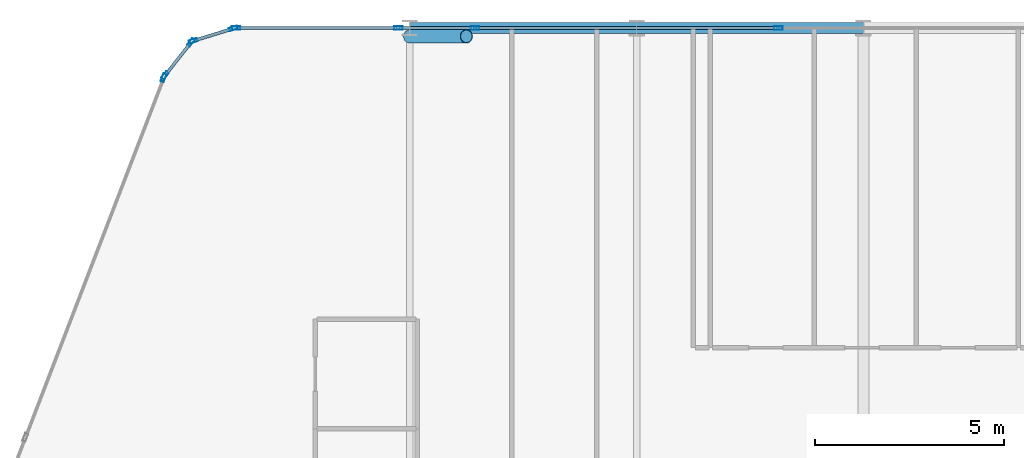
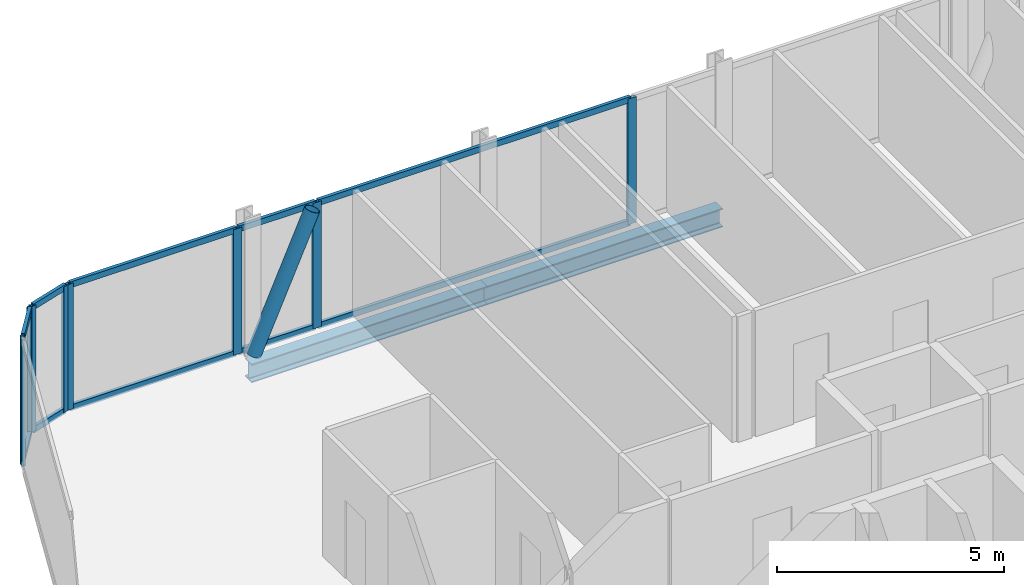
# One storey, part 13 of 33: 20 members, 2 beams, 6 elements without a shape of their own.
"""IFC4 building model written with IfcOpenShell, lengths in metres."""

from ifc_helpers import new_model, si_unit, direction, frame, origin, origin_2d, place, context, subcontext, project, spatial, hollow_rectangle, hollow_circle, i_section, extrude, material, layer, layer_set, material_profile, profile_set, type_object, element, aggregate, save


model = new_model("IFC4")

# Units and contexts
model_context = context("Model", 3, precision=1e-05, world=origin(), true_north=direction((0.0, 1.0)))
body_context = subcontext(model_context, "Body", "Model", "MODEL_VIEW")
ifc_project = project(units=[si_unit("LENGTHUNIT", "METRE"), si_unit("AREAUNIT", "SQUARE_METRE"), si_unit("VOLUMEUNIT", "CUBIC_METRE"), si_unit("PLANEANGLEUNIT", "RADIAN"), si_unit("MASSUNIT", "GRAM", prefix="KILO")], contexts=[model_context])

# Site, building, storey
site_placement = place(None, origin())
site = spatial("IfcSite", under=ifc_project, at=site_placement, CompositionType="ELEMENT")
building_placement = place(site_placement, origin())
building = spatial("IfcBuilding", under=site, at=building_placement, Name="Keshet Zoharim Tower", CompositionType="ELEMENT")
storey_placement = place(building_placement, frame((0.0, 0.0, 27.699951171875)))
storey = spatial("IfcBuildingStorey", under=building, at=storey_placement, Name="L05", CompositionType="ELEMENT", Elevation=27.699951171875)

# Beams
ifc_material_1 = material(Name="Steel S355", Category="steel")
ifc_material_profile_1 = material_profile(ifc_material_1, i_section(OverallWidth=0.300048828125, OverallDepth=0.5, WebThickness=0.014404296875, FlangeThickness=0.028076171875, FilletRadius=0.027099609375, at=origin_2d()), Name="HEB500")
ifc_profile_set_1 = profile_set([ifc_material_profile_1], Name="Steel S355")
beam_type = type_object("IfcBeamType", Name="BM-WEB-HB500", PredefinedType="BEAM", material=ifc_profile_set_1)
for number, where, z_axis, x_axis, name in (
    (1, (21.0, 53.89990234375, -0.56494140625), (1.0, 0.0, 0.0), (0.0, 1.0, 0.0), "L05 Primary Girder X-029"),
    (2, (27.0, 53.89990234375, -0.56494140625), (1.0, 0.0, 0.0), (0.0, 1.0, 0.0), "L05 Primary Girder X-030"),
):
    element("IfcBeam", number, at=place(storey_placement, frame(where, z_axis=z_axis, x_axis=x_axis)), inside=storey, type_object=beam_type, Name=name, PredefinedType="BEAM", context=body_context, shape_type="SweptSolid", body=[
        extrude(i_section(OverallWidth=0.300048828125, OverallDepth=0.5, WebThickness=0.014404296875, FlangeThickness=0.028076171875, FilletRadius=0.027099609375, at=origin_2d()), origin(), (0.0, 0.0, 1.0), 6.0),
    ])

# Curtain wall, member
ifc_material_2 = material(Name="Aluminium 6063-T6", Category="aluminium")
ifc_layer_1 = layer(ifc_material_2, 0.179931640625)
ifc_layer_set_1 = layer_set([ifc_layer_1], Name="Aluminium 6063-T6")
curtain_wall_type_1 = type_object("IfcCurtainWallType", Name="CW-SYS-01", PredefinedType="NOTDEFINED", material=ifc_layer_set_1)
curtain_wall_1_placement = place(storey_placement, origin())
curtain_wall_1 = element("IfcCurtainWall", 3, at=curtain_wall_1_placement, inside=storey, type_object=curtain_wall_type_1, Name="L05 Unitised Curtain Wall 04", PredefinedType="NOTDEFINED")
ifc_material_profile_2 = material_profile(ifc_material_2, hollow_rectangle(XDim=0.090087890625, YDim=0.219970703125, WallThickness=0.0048828125, at=origin_2d()), Name="MUL-90x220")
ifc_profile_set_2 = profile_set([ifc_material_profile_2], Name="Aluminium 6063-T6")
member_type_1 = type_object("IfcMemberType", Name="CWM-M22", PredefinedType="MULLION", material=ifc_profile_set_2)
member_1_placement = place(storey_placement, frame((14.494384765625, 52.58544921875, 0.0), z_axis=(0.0, 0.0, 1.0), x_axis=(-0.933341404361, 0.358990003907, 0.0)))
member_1 = element("IfcMember", 4, at=member_1_placement, type_object=member_type_1, Name="CW-01 mullion 4", PredefinedType="MULLION", context=body_context, shape_type="SweptSolid", body=[
    extrude(hollow_rectangle(XDim=0.090087890625, YDim=0.219970703125, WallThickness=0.0048828125, at=origin_2d()), origin(), (0.0, 0.0, 1.0), 3.385009765625),
])
aggregate(curtain_wall_1, [member_1])

# Curtain wall, members
curtain_wall_2_placement = place(storey_placement, origin())
curtain_wall_2 = element("IfcCurtainWall", 5, at=curtain_wall_2_placement, inside=storey, type_object=curtain_wall_type_1, Name="L05 Unitised Curtain Wall 05", PredefinedType="NOTDEFINED")
member_2_placement = place(storey_placement, frame((14.528564453125, 52.6455078125, 0.0), z_axis=(0.0, 0.0, 1.0), x_axis=(-0.785292825205, 0.619124525989, 0.0)))
member_2 = element("IfcMember", 6, at=member_2_placement, type_object=member_type_1, Name="CW-01 mullion 1", PredefinedType="MULLION", context=body_context, shape_type="SweptSolid", body=[
    extrude(hollow_rectangle(XDim=0.090087890625, YDim=0.219970703125, WallThickness=0.0048828125, at=origin_2d()), origin(), (0.0, 0.0, 1.0), 3.385009765625),
])
member_3_placement = place(storey_placement, frame((15.21923828125, 53.521484375, 0.0), z_axis=(0.0, 0.0, 1.0), x_axis=(-0.785292825205, 0.619124525989, 0.0)))
member_3 = element("IfcMember", 7, at=member_3_placement, type_object=member_type_1, Name="CW-01 mullion 2", PredefinedType="MULLION", context=body_context, shape_type="SweptSolid", body=[
    extrude(hollow_rectangle(XDim=0.090087890625, YDim=0.219970703125, WallThickness=0.0048828125, at=origin_2d()), origin(), (0.0, 0.0, 1.0), 3.385009765625),
])

curtain_wall_3_placement = place(storey_placement, origin())
curtain_wall_3 = element("IfcCurtainWall", 8, at=curtain_wall_3_placement, inside=storey, type_object=curtain_wall_type_1, Name="L05 Unitised Curtain Wall 06", PredefinedType="NOTDEFINED")
member_4_placement = place(storey_placement, frame((15.2744140625, 53.559326171875, 0.0), z_axis=(0.0, 0.0, 1.0), x_axis=(-0.295921857984, 0.955212151288, 0.0)))
member_4 = element("IfcMember", 9, at=member_4_placement, type_object=member_type_1, Name="CW-01 mullion 1", PredefinedType="MULLION", context=body_context, shape_type="SweptSolid", body=[
    extrude(hollow_rectangle(XDim=0.090087890625, YDim=0.219970703125, WallThickness=0.0048828125, at=origin_2d()), origin(), (0.0, 0.0, 1.0), 3.385009765625),
])
member_5_placement = place(storey_placement, frame((16.340576171875, 53.8896484375, 0.0), z_axis=(0.0, 0.0, 1.0), x_axis=(-0.295921857984, 0.955212151288, 0.0)))
member_5 = element("IfcMember", 10, at=member_5_placement, type_object=member_type_1, Name="CW-01 mullion 2", PredefinedType="MULLION", context=body_context, shape_type="SweptSolid", body=[
    extrude(hollow_rectangle(XDim=0.090087890625, YDim=0.219970703125, WallThickness=0.0048828125, at=origin_2d()), origin(), (0.0, 0.0, 1.0), 3.385009765625),
])

ifc_layer_2 = layer(ifc_material_2, 0.169921875)
ifc_layer_set_2 = layer_set([ifc_layer_2], Name="Aluminium 6063-T6")
curtain_wall_type_2 = type_object("IfcCurtainWallType", Name="CW-SYS-02", PredefinedType="NOTDEFINED", material=ifc_layer_set_2)
curtain_wall_4_placement = place(storey_placement, origin())
curtain_wall_4 = element("IfcCurtainWall", 11, at=curtain_wall_4_placement, inside=storey, type_object=curtain_wall_type_2, Name="L05 Unitised Curtain Wall 07", PredefinedType="NOTDEFINED")
member_6_placement = place(storey_placement, frame((16.408935546875, 53.89990234375, 0.0), z_axis=(0.0, 0.0, 1.0), x_axis=(0.0, 1.0, 0.0)))
member_6 = element("IfcMember", 12, at=member_6_placement, type_object=member_type_1, Name="CW-02 mullion 1", PredefinedType="MULLION", context=body_context, shape_type="SweptSolid", body=[
    extrude(hollow_rectangle(XDim=0.090087890625, YDim=0.219970703125, WallThickness=0.0048828125, at=origin_2d()), origin(), (0.0, 0.0, 1.0), 3.385009765625),
])
member_7_placement = place(storey_placement, frame((20.702392578125, 53.89990234375, 0.0), z_axis=(0.0, 0.0, 1.0), x_axis=(0.0, 1.0, 0.0)))
member_7 = element("IfcMember", 13, at=member_7_placement, type_object=member_type_1, Name="CW-02 mullion 2", PredefinedType="MULLION", context=body_context, shape_type="SweptSolid", body=[
    extrude(hollow_rectangle(XDim=0.090087890625, YDim=0.219970703125, WallThickness=0.0048828125, at=origin_2d()), origin(), (0.0, 0.0, 1.0), 3.385009765625),
])

# Curtain wall, member
curtain_wall_5_placement = place(storey_placement, origin())
curtain_wall_5 = element("IfcCurtainWall", 14, at=curtain_wall_5_placement, inside=storey, type_object=curtain_wall_type_2, Name="L05 Unitised Curtain Wall 07 Part 2", PredefinedType="NOTDEFINED")
member_8_placement = place(storey_placement, frame((22.7275390625, 53.89990234375, 0.0), z_axis=(0.0, 0.0, 1.0), x_axis=(0.0, 1.0, 0.0)))
member_8 = element("IfcMember", 15, at=member_8_placement, type_object=member_type_1, Name="CW-02 mullion 2", PredefinedType="MULLION", context=body_context, shape_type="SweptSolid", body=[
    extrude(hollow_rectangle(XDim=0.090087890625, YDim=0.219970703125, WallThickness=0.0048828125, at=origin_2d()), origin(), (0.0, 0.0, 1.0), 3.385009765625),
])

curtain_wall_6_placement = place(storey_placement, origin())
curtain_wall_6 = element("IfcCurtainWall", 16, at=curtain_wall_6_placement, inside=storey, type_object=curtain_wall_type_2, Name="L05 Unitised Curtain Wall 07 Part 3", PredefinedType="NOTDEFINED")
member_9_placement = place(storey_placement, frame((30.75, 53.89990234375, 0.0), z_axis=(0.0, 0.0, 1.0), x_axis=(0.0, 1.0, 0.0)))
member_9 = element("IfcMember", 17, at=member_9_placement, type_object=member_type_1, Name="CW-02 mullion 2", PredefinedType="MULLION", context=body_context, shape_type="SweptSolid", body=[
    extrude(hollow_rectangle(XDim=0.090087890625, YDim=0.219970703125, WallThickness=0.0048828125, at=origin_2d()), origin(), (0.0, 0.0, 1.0), 3.385009765625),
])

# Member
ifc_material_profile_3 = material_profile(ifc_material_2, hollow_rectangle(XDim=0.0849609375, YDim=0.159912109375, WallThickness=0.00439453125, at=origin_2d()), Name="TRN-85x160")
ifc_profile_set_3 = profile_set([ifc_material_profile_3], Name="Aluminium 6063-T6")
member_type_2 = type_object("IfcMemberType", Name="CWT-T16", PredefinedType="USERDEFINED", material=ifc_profile_set_3)
member_10_placement = place(storey_placement, frame((14.55029296875, 52.6728515625, 0.03515625), z_axis=(0.619099165969, 0.78531281837, 0.0), x_axis=(-0.78531281837, 0.619099165969, 0.0)))
member_10 = element("IfcMember", 18, at=member_10_placement, type_object=member_type_2, Name="CW-01 transom 1.1", ObjectType="TRANSOM", PredefinedType="USERDEFINED", context=body_context, shape_type="SweptSolid", body=[
    extrude(hollow_rectangle(XDim=0.0849609375, YDim=0.159912109375, WallThickness=0.00439453125, at=origin_2d()), origin(), (0.0, 0.0, 1.0), 1.0458984375),
])

member_11_placement = place(storey_placement, frame((14.55029296875, 52.6728515625, 3.35009765625), z_axis=(0.619099165969, 0.78531281837, 0.0), x_axis=(-0.78531281837, 0.619099165969, 0.0)))
member_11 = element("IfcMember", 19, at=member_11_placement, type_object=member_type_2, Name="CW-01 transom 1.2", ObjectType="TRANSOM", PredefinedType="USERDEFINED", context=body_context, shape_type="SweptSolid", body=[
    extrude(hollow_rectangle(XDim=0.0849609375, YDim=0.159912109375, WallThickness=0.00439453125, at=origin_2d()), origin(), (0.0, 0.0, 1.0), 1.0458984375),
])

aggregate(curtain_wall_2, [member_2, member_3, member_10, member_11])

member_12_placement = place(storey_placement, frame((15.307861328125, 53.56982421875, 0.03515625), z_axis=(0.955212093062, 0.295922045933, 0.0), x_axis=(-0.295922045933, 0.955212093062, 0.0)))
member_12 = element("IfcMember", 20, at=member_12_placement, type_object=member_type_2, Name="CW-01 transom 1.1", ObjectType="TRANSOM", PredefinedType="USERDEFINED", context=body_context, shape_type="SweptSolid", body=[
    extrude(hollow_rectangle(XDim=0.0849609375, YDim=0.159912109375, WallThickness=0.00439453125, at=origin_2d()), origin(), (0.0, 0.0, 1.0), 1.046142578125),
])

member_13_placement = place(storey_placement, frame((15.307861328125, 53.56982421875, 3.35009765625), z_axis=(0.955212093062, 0.295922045933, 0.0), x_axis=(-0.295922045933, 0.955212093062, 0.0)))
member_13 = element("IfcMember", 21, at=member_13_placement, type_object=member_type_2, Name="CW-01 transom 1.2", ObjectType="TRANSOM", PredefinedType="USERDEFINED", context=body_context, shape_type="SweptSolid", body=[
    extrude(hollow_rectangle(XDim=0.0849609375, YDim=0.159912109375, WallThickness=0.00439453125, at=origin_2d()), origin(), (0.0, 0.0, 1.0), 1.046142578125),
])

aggregate(curtain_wall_3, [member_4, member_5, member_12, member_13])

member_14_placement = place(storey_placement, frame((16.444091796875, 53.89990234375, 0.03515625), z_axis=(1.0, 0.0, 0.0), x_axis=(0.0, 1.0, 0.0)))
member_14 = element("IfcMember", 22, at=member_14_placement, type_object=member_type_2, Name="CW-02 transom 1.1", ObjectType="TRANSOM", PredefinedType="USERDEFINED", context=body_context, shape_type="SweptSolid", body=[
    extrude(hollow_rectangle(XDim=0.0849609375, YDim=0.159912109375, WallThickness=0.00439453125, at=origin_2d()), origin(), (0.0, 0.0, 1.0), 4.223388671875),
])

member_15_placement = place(storey_placement, frame((16.444091796875, 53.89990234375, 3.35009765625), z_axis=(1.0, 0.0, 0.0), x_axis=(0.0, 1.0, 0.0)))
member_15 = element("IfcMember", 23, at=member_15_placement, type_object=member_type_2, Name="CW-02 transom 1.2", ObjectType="TRANSOM", PredefinedType="USERDEFINED", context=body_context, shape_type="SweptSolid", body=[
    extrude(hollow_rectangle(XDim=0.0849609375, YDim=0.159912109375, WallThickness=0.00439453125, at=origin_2d()), origin(), (0.0, 0.0, 1.0), 4.223388671875),
])

aggregate(curtain_wall_4, [member_6, member_7, member_14, member_15])

member_16_placement = place(storey_placement, frame((20.7373046875, 53.89990234375, 0.03515625), z_axis=(1.0, 0.0, 0.0), x_axis=(0.0, 1.0, 0.0)))
member_16 = element("IfcMember", 24, at=member_16_placement, type_object=member_type_2, Name="CW-02 transom 1.1", ObjectType="TRANSOM", PredefinedType="USERDEFINED", context=body_context, shape_type="SweptSolid", body=[
    extrude(hollow_rectangle(XDim=0.0849609375, YDim=0.159912109375, WallThickness=0.00439453125, at=origin_2d()), origin(), (0.0, 0.0, 1.0), 1.955322265625),
])

member_17_placement = place(storey_placement, frame((20.7373046875, 53.89990234375, 3.35009765625), z_axis=(1.0, 0.0, 0.0), x_axis=(0.0, 1.0, 0.0)))
member_17 = element("IfcMember", 25, at=member_17_placement, type_object=member_type_2, Name="CW-02 transom 1.2", ObjectType="TRANSOM", PredefinedType="USERDEFINED", context=body_context, shape_type="SweptSolid", body=[
    extrude(hollow_rectangle(XDim=0.0849609375, YDim=0.159912109375, WallThickness=0.00439453125, at=origin_2d()), origin(), (0.0, 0.0, 1.0), 1.955322265625),
])

aggregate(curtain_wall_5, [member_8, member_16, member_17])

member_18_placement = place(storey_placement, frame((22.7626953125, 53.89990234375, 0.03515625), z_axis=(1.0, 0.0, 0.0), x_axis=(0.0, 1.0, 0.0)))
member_18 = element("IfcMember", 26, at=member_18_placement, type_object=member_type_2, Name="CW-02 transom 1.1", ObjectType="TRANSOM", PredefinedType="USERDEFINED", context=body_context, shape_type="SweptSolid", body=[
    extrude(hollow_rectangle(XDim=0.0849609375, YDim=0.159912109375, WallThickness=0.00439453125, at=origin_2d()), origin(), (0.0, 0.0, 1.0), 7.952392578125),
])

member_19_placement = place(storey_placement, frame((22.7626953125, 53.89990234375, 3.35009765625), z_axis=(1.0, 0.0, 0.0), x_axis=(0.0, 1.0, 0.0)))
member_19 = element("IfcMember", 27, at=member_19_placement, type_object=member_type_2, Name="CW-02 transom 1.2", ObjectType="TRANSOM", PredefinedType="USERDEFINED", context=body_context, shape_type="SweptSolid", body=[
    extrude(hollow_rectangle(XDim=0.0849609375, YDim=0.159912109375, WallThickness=0.00439453125, at=origin_2d()), origin(), (0.0, 0.0, 1.0), 7.952392578125),
])

aggregate(curtain_wall_6, [member_9, member_18, member_19])

ifc_material_profile_4 = material_profile(ifc_material_1, hollow_circle(Radius=0.177734375, WallThickness=0.012451171875, at=origin_2d()), Name="CHS355x12.5")
ifc_profile_set_4 = profile_set([ifc_material_profile_4], Name="Steel S355")
member_type_3 = type_object("IfcMemberType", Name="MB-BR-C355", PredefinedType="BRACE", material=ifc_profile_set_4)
member_20_placement = place(storey_placement, frame((21.0, 53.679931640625, 0.0), z_axis=(0.405134846829, 0.0, 0.91425694194), x_axis=(0.0, 1.0, 0.0)))
element("IfcMember", 28, at=member_20_placement, inside=storey, type_object=member_type_3, Name="L05 Perimeter Tube Brace 01", PredefinedType="BRACE", context=body_context, shape_type="SweptSolid", body=[
    extrude(hollow_circle(Radius=0.177734375, WallThickness=0.012451171875, at=origin_2d()), origin(), (0.0, 0.0, 1.0), 3.702392578125),
])

save(model, "model.ifc")
